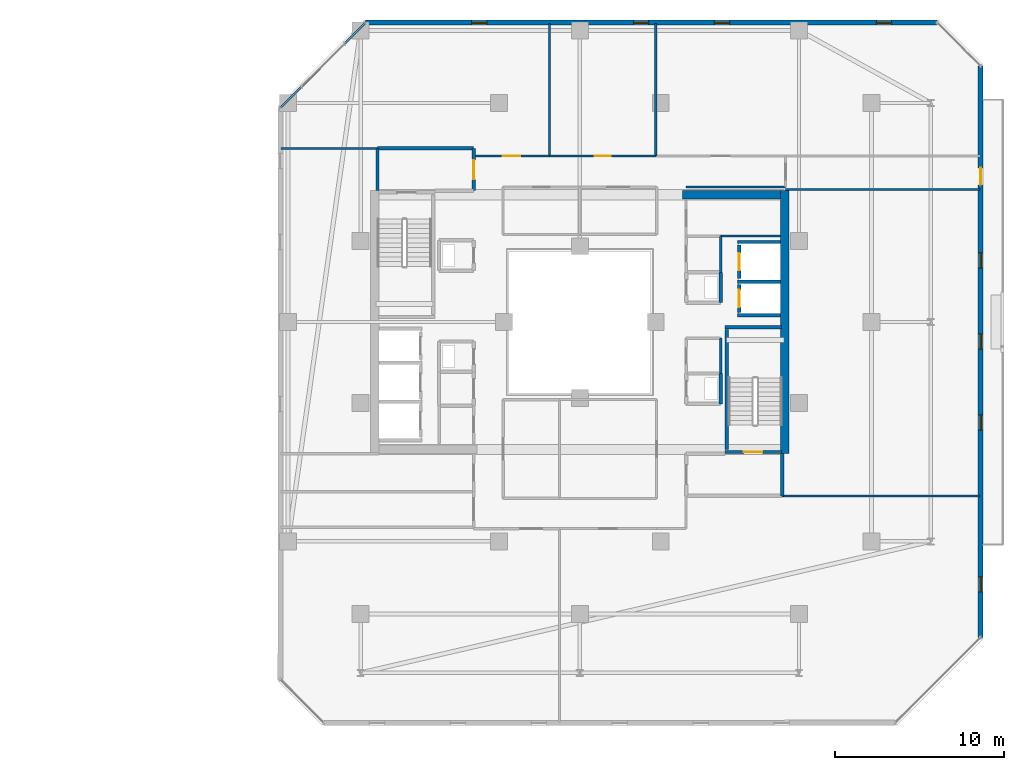
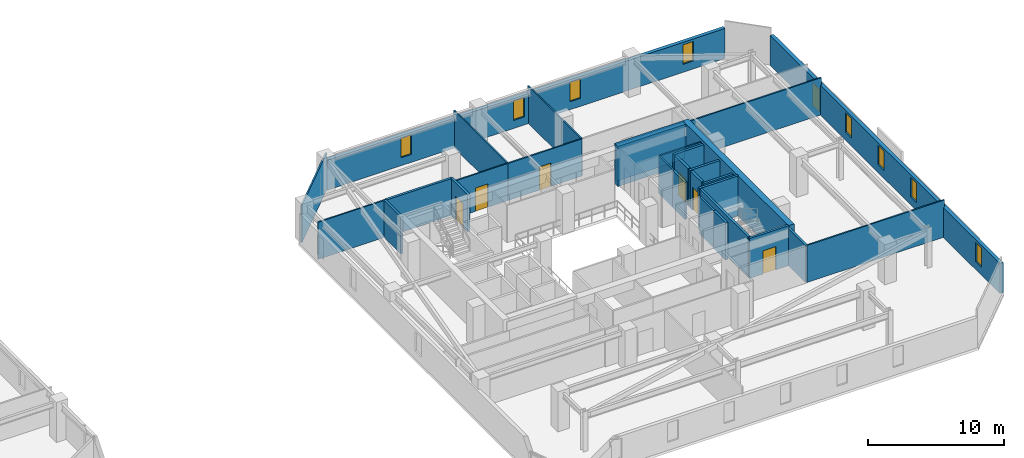
# One storey, part 24 of 32: 30 walls, 8 windows, 7 doors, 15 openings.
"""IFC4 building model written with IfcOpenShell, lengths in metres."""

import ifcopenshell
import ifcopenshell.guid

model = None  # the IFC model being written
_history = None  # IfcOwnerHistory: only IFC2X3 demands one
_inside = {}  # id of a spatial element -> (the spatial element, [elements in it])
_under = {}  # id of a project, library or spatial element -> (it, [spatial elements below it])
_declared = {}  # id of a project -> (the project, [libraries it declares])
_typed = {}  # id of a type object -> (the type object, [elements of that type])
_made_of = {}  # id of a material, layer set ... -> (it, [elements and type objects made of it])


def new_model(schema):
    """Start an empty IFC model of exactly this schema.

    Asked for "IFC4X3", IfcOpenShell would pick the latest addendum, in which some entities
    have other attributes; the version numbers below select the first issue.
    IFC2X3 requires an IfcOwnerHistory on every rooted entity: one is made here for all.
    """
    global model, _history
    if schema == "IFC4X3":
        model = ifcopenshell.file(schema_version=(4, 3, 0, 0))
    else:
        model = ifcopenshell.file(schema=schema)
    _inside.clear()
    _under.clear()
    _declared.clear()
    _typed.clear()
    _made_of.clear()
    _history = None
    if model.schema == "IFC2X3":
        org = make("IfcOrganization", Name="unknown")
        user = make(
            "IfcPersonAndOrganization",
            ThePerson=make("IfcPerson", FamilyName="unknown"),
            TheOrganization=org,
        )
        app = make(
            "IfcApplication",
            ApplicationDeveloper=org,
            Version="unknown",
            ApplicationFullName="unknown",
            ApplicationIdentifier="unknown",
        )
        _history = make(
            "IfcOwnerHistory",
            OwningUser=user,
            OwningApplication=app,
            ChangeAction="ADDED",
            CreationDate=0,
        )
    return model


def make(cls, **values):
    """One entity of the class cls with the attributes given. An attribute that is None is left unset."""
    return model.create_entity(
        cls, **{name: value for name, value in values.items() if value is not None}
    )


def rooted(cls, **values):
    """An entity with a GlobalId (a new one), such as an element, a storey or a relation."""
    return make(cls, GlobalId=ifcopenshell.guid.new(), OwnerHistory=_history, **values)


def si_unit(unit_type, name, prefix=None):
    """IfcSIUnit, for example si_unit("LENGTHUNIT", "METRE", prefix="MILLI")."""
    return make("IfcSIUnit", UnitType=unit_type, Prefix=prefix, Name=name)


def assignment(units):
    """IfcUnitAssignment: the units of a project."""
    return None if units is None else make("IfcUnitAssignment", Units=units)


def point(xyz):
    """IfcCartesianPoint."""
    return None if xyz is None else make("IfcCartesianPoint", Coordinates=xyz)


def direction(xyz):
    """IfcDirection."""
    return None if xyz is None else make("IfcDirection", DirectionRatios=xyz)


def frame(location, z_axis=None, x_axis=None):
    """IfcAxis2Placement3D, a coordinate frame: its origin and axes. An axis left out is left unset."""
    return make(
        "IfcAxis2Placement3D",
        Location=point(location),
        Axis=direction(z_axis),
        RefDirection=direction(x_axis),
    )


def frame_2d(location, x_axis=None):
    """IfcAxis2Placement2D, a coordinate frame in the plane: its origin and x axis."""
    return make(
        "IfcAxis2Placement2D", Location=point(location), RefDirection=direction(x_axis)
    )


def origin():
    """The frame at (0, 0, 0) with its axes left unset."""
    return frame((0.0, 0.0, 0.0))


def place(relative_to, where):
    """IfcLocalPlacement: puts the frame where relative to a parent placement (None: the world)."""
    return make(
        "IfcLocalPlacement", PlacementRelTo=relative_to, RelativePlacement=where
    )


def context(
    kind, dimensions, precision=None, world=None, true_north=None, identifier=None
):
    """IfcGeometricRepresentationContext, for example the 3D "Model" context."""
    return make(
        "IfcGeometricRepresentationContext",
        ContextIdentifier=identifier,
        ContextType=kind,
        CoordinateSpaceDimension=dimensions,
        Precision=precision,
        WorldCoordinateSystem=world,
        TrueNorth=true_north,
    )


def subcontext(parent, identifier, kind, view, scale=None):
    """IfcGeometricRepresentationSubContext, for example "Body" below "Model"."""
    return make(
        "IfcGeometricRepresentationSubContext",
        ContextIdentifier=identifier,
        ContextType=kind,
        ParentContext=parent,
        TargetScale=scale,
        TargetView=view,
    )


def project(units=None, contexts=None):
    """IfcProject with its units and contexts."""
    return rooted(
        "IfcProject",
        Name="project",
        RepresentationContexts=contexts,
        UnitsInContext=assignment(units),
    )


def spatial(cls, under=None, at=None, **own):
    """A site, building, storey or space (cls), placed at a placement, below another one or the project."""
    s = rooted(cls, ObjectPlacement=at, **own)
    if under is not None:
        _under.setdefault(under.id(), (under, []))[1].append(s)
    return s


def profile(cls, at=None, kind="AREA", **sizes):
    """A parametric profile (cls). Its sizes go by their IFC names, for example OverallWidth=200.0."""
    return make(cls, ProfileType=kind, Position=at, **sizes)


def rectangle(**sizes):
    """IfcRectangleProfileDef."""
    return profile("IfcRectangleProfileDef", **sizes)


def extrude(swept, where, along, depth):
    """IfcExtrudedAreaSolid: the profile swept, set in the frame where, extruded along a direction by depth."""
    return make(
        "IfcExtrudedAreaSolid",
        SweptArea=swept,
        Position=where,
        ExtrudedDirection=direction(along),
        Depth=depth,
    )


def shape(context_of_items, identifier, shape_type, items):
    """IfcShapeRepresentation: the items that make up one representation, for example the "Body"."""
    return make(
        "IfcShapeRepresentation",
        ContextOfItems=context_of_items,
        RepresentationIdentifier=identifier,
        RepresentationType=shape_type,
        Items=items,
    )


def material(Name=None, Category=None):
    """IfcMaterial."""
    return make("IfcMaterial", Name=Name, Category=Category)


def layer(
    of_material, thickness, ventilated=None, Name=None, Category=None, Priority=None
):
    """IfcMaterialLayer: one layer of a wall or slab, of a material (None: an air gap)."""
    return make(
        "IfcMaterialLayer",
        Material=of_material,
        LayerThickness=thickness,
        IsVentilated=ventilated,
        Name=Name,
        Category=Category,
        Priority=Priority,
    )


def layer_set(layers, Name=None):
    """IfcMaterialLayerSet."""
    return make("IfcMaterialLayerSet", MaterialLayers=layers, LayerSetName=Name)


def made_of(thing, what):
    """Note that an element or type object is made of a material, layer set ...; save() writes the relation."""
    if what is not None:
        _made_of.setdefault(what.id(), (what, []))[1].append(thing)
    return thing


def type_object(cls, material=None, **own):
    """A type object (cls), such as IfcWallType, which elements share."""
    return made_of(rooted(cls, **own), material)


def element(
    cls,
    number,
    at=None,
    inside=None,
    cuts=None,
    type_object=None,
    material=None,
    context=None,
    identifier="Body",
    shape_type=None,
    held_by="IfcProductDefinitionShape",
    body=None,
    shapes=None,
    **own,
):
    """One element of the class cls, such as IfcWall. Its Tag is "e" and its number.

    at: its placement. inside: the storey or other place that contains it. cuts: it is an
    opening in that element (IfcRelVoidsElement). A single representation is given by context,
    identifier, shape_type and body (its items); several are given by shapes. held_by: the class
    of the entity that holds the representations. save() writes the other relations.
    """
    e = rooted(cls, Tag="e%d" % number, ObjectPlacement=at, **own)
    if body is not None:
        shapes = [shape(context, identifier, shape_type, body)]
    if shapes is not None:
        e.Representation = make(held_by, Representations=shapes)
    if inside is not None:
        _inside.setdefault(inside.id(), (inside, []))[1].append(e)
    if cuts is not None:
        rooted(
            "IfcRelVoidsElement", RelatingBuildingElement=cuts, RelatedOpeningElement=e
        )
    if type_object is not None:
        _typed.setdefault(type_object.id(), (type_object, []))[1].append(e)
    return made_of(e, material)


def fill(opening, filler):
    """IfcRelFillsElement: the door or window that sits in an opening."""
    return rooted(
        "IfcRelFillsElement",
        RelatingOpeningElement=opening,
        RelatedBuildingElement=filler,
    )


def aggregate(whole, parts):
    """IfcRelAggregates: a whole, such as a stair, and the parts it consists of."""
    return rooted("IfcRelAggregates", RelatingObject=whole, RelatedObjects=parts)


def save(model, path):
    """Write the relations noted so far, then the file.

    IfcRelAggregates (storeys below a building ...), IfcRelContainedInSpatialStructure (elements
    in a storey), IfcRelDefinesByType, IfcRelAssociatesMaterial and IfcRelDeclares: one each for
    every whole, place, type object, material and project.
    """
    for whole, parts in _under.values():
        aggregate(whole, parts)
    for where, things in _inside.values():
        rooted(
            "IfcRelContainedInSpatialStructure",
            RelatedElements=things,
            RelatingStructure=where,
        )
    for kind, things in _typed.values():
        rooted("IfcRelDefinesByType", RelatedObjects=things, RelatingType=kind)
    for what, things in _made_of.values():
        rooted("IfcRelAssociatesMaterial", RelatedObjects=things, RelatingMaterial=what)
    for by, libraries in _declared.values():
        rooted("IfcRelDeclares", RelatingContext=by, RelatedDefinitions=libraries)
    model.write(path)


model = new_model("IFC4")

# Units and contexts
model_context = context("Model", 3, precision=1e-05, world=origin(), true_north=direction((0.0, 1.0)))
body_context = subcontext(model_context, "Body", "Model", "MODEL_VIEW")
ifc_project = project(units=[si_unit("LENGTHUNIT", "METRE"), si_unit("AREAUNIT", "SQUARE_METRE"), si_unit("VOLUMEUNIT", "CUBIC_METRE"), si_unit("PLANEANGLEUNIT", "RADIAN"), si_unit("MASSUNIT", "GRAM", prefix="KILO")], contexts=[model_context])

# Site, building, storey
site_placement = place(None, origin())
site = spatial("IfcSite", under=ifc_project, at=site_placement, CompositionType="ELEMENT")
building_placement = place(site_placement, origin())
building = spatial("IfcBuilding", under=site, at=building_placement, Name="Thornwick Lancets Civic Towers", CompositionType="ELEMENT")
storey_placement = place(building_placement, frame((0.0, 0.0, 243.89990234375)))
storey = spatial("IfcBuildingStorey", under=building, at=storey_placement, Name="L65", CompositionType="ELEMENT", Elevation=243.89990234375)

# Wall, opening, door
ifc_material_1 = material(Name="Concrete blockwork C40/50", Category="masonry")
ifc_layer_1 = layer(ifc_material_1, 0.199951171875, Name="Concrete blockwork C40/50")
ifc_layer_set_1 = layer_set([ifc_layer_1], Name="Concrete blockwork C40/50")
wall_type_1 = type_object("IfcWallType", Name="WALL_COMP_200", PredefinedType="STANDARD", material=ifc_layer_set_1)
wall_1_placement = place(storey_placement, frame((97.949951171875, 29.219970703125, 0.0), z_axis=(0.0, 0.0, 1.0), x_axis=(0.0, -1.0, 0.0)))
wall_1 = element("IfcWall", 1, at=wall_1_placement, inside=storey, type_object=wall_type_1, Name="L65 Hoistway Front Wall FL-B1", PredefinedType="STANDARD", context=body_context, shape_type="SweptSolid", body=[
    extrude(rectangle(XDim=1.639892578125, YDim=0.199951171875, at=frame_2d((0.81982421875, 0.0))), origin(), (0.0, 0.0, 1.0), 3.340087890625),
])
opening_1_placement = place(wall_1_placement, frame((0.31005859375, 0.0, 0.0)))
opening_1 = element("IfcOpeningElement", 2, at=opening_1_placement, cuts=wall_1, Name="Opening LD-FL-B1", PredefinedType="OPENING", context=body_context, shape_type="SweptSolid", body=[
    extrude(rectangle(XDim=1.02001953125, YDim=2.06005859375, at=frame_2d((0.510009765625, 1.030029296875))), frame((0.0, 0.10986328125, 0.0), z_axis=(0.0, -1.0, 0.0), x_axis=(1.0, 0.0, 0.0)), (0.0, 0.0, 1.0), 0.219970703125),
])
ifc_material_2 = material(Name="Brushed bronze stainless steel", Category="steel")
door_type_1 = type_object("IfcDoorType", Name="DOOR_LIFT_SLIDE", OperationType="SLIDING_TO_LEFT", PredefinedType="DOOR", material=ifc_material_2)
door_1_placement = place(opening_1_placement, origin())
door_1 = element("IfcDoor", 3, at=door_1_placement, inside=storey, type_object=door_type_1, Name="L65 Sliding Lift Landing Door LD-FL-B1", OperationType="SLIDING_TO_LEFT", OverallHeight=2.06005859375, OverallWidth=1.02001953125, PredefinedType="DOOR", context=body_context, shape_type="SweptSolid", body=[
    extrude(rectangle(XDim=1.02001953125, YDim=2.06005859375, at=frame_2d((0.510009765625, 1.030029296875))), frame((0.0, 0.02490234375, 0.0), z_axis=(0.0, -1.0, 0.0), x_axis=(1.0, 0.0, 0.0)), (0.0, 0.0, 1.0), 0.050048828125),
])
fill(opening_1, door_1)

wall_2_placement = place(storey_placement, frame((97.949951171875, 31.570068359375, 0.0), z_axis=(0.0, 0.0, 1.0), x_axis=(0.0, -1.0, 0.0)))
wall_2 = element("IfcWall", 4, at=wall_2_placement, inside=storey, type_object=wall_type_1, Name="L65 Hoistway Front Wall PL-BH1", PredefinedType="STANDARD", context=body_context, shape_type="SweptSolid", body=[
    extrude(rectangle(XDim=1.989990234375, YDim=0.199951171875, at=frame_2d((0.9951171875, 0.0))), origin(), (0.0, 0.0, 1.0), 3.340087890625),
])
opening_2_placement = place(wall_2_placement, frame((0.485107421875, 0.0, 0.0)))
opening_2 = element("IfcOpeningElement", 5, at=opening_2_placement, cuts=wall_2, Name="Opening LD-PL-BH1", PredefinedType="OPENING", context=body_context, shape_type="SweptSolid", body=[
    extrude(rectangle(XDim=1.02001953125, YDim=2.06005859375, at=frame_2d((0.510009765625, 1.030029296875))), frame((0.0, 0.10986328125, 0.0), z_axis=(0.0, -1.0, 0.0), x_axis=(1.0, 0.0, 0.0)), (0.0, 0.0, 1.0), 0.219970703125),
])
door_2_placement = place(opening_2_placement, origin())
door_2 = element("IfcDoor", 6, at=door_2_placement, inside=storey, type_object=door_type_1, Name="L65 Sliding Lift Landing Door LD-PL-BH1", OperationType="SLIDING_TO_LEFT", OverallHeight=2.06005859375, OverallWidth=1.02001953125, PredefinedType="DOOR", context=body_context, shape_type="SweptSolid", body=[
    extrude(rectangle(XDim=1.02001953125, YDim=2.06005859375, at=frame_2d((0.510009765625, 1.030029296875))), frame((0.0, 0.02490234375, 0.0), z_axis=(0.0, -1.0, 0.0), x_axis=(1.0, 0.0, 0.0)), (0.0, 0.0, 1.0), 0.050048828125),
])
fill(opening_2, door_2)

# Walls
for number, where, z_axis, x_axis, name in (
    (7, (97.85205078125, 29.39990234375, 0.0), (0.0, 0.0, 1.0), (1.0, 0.0, 0.0), "L65 Hoistway Shaft Wall FL-B1 N"),
    (8, (97.85205078125, 27.39990234375, 0.0), (0.0, 0.0, 1.0), (1.0, 0.0, 0.0), "L65 Hoistway Shaft Wall FL-B1 S"),
    (9, (97.85205078125, 31.75, 0.0), (0.0, 0.0, 1.0), (1.0, 0.0, 0.0), "L65 Hoistway Shaft Wall PL-BH1 N"),
):
    element("IfcWall", number, at=place(storey_placement, frame(where, z_axis=z_axis, x_axis=x_axis)), inside=storey, type_object=wall_type_1, Name=name, PredefinedType="STANDARD", context=body_context, shape_type="SweptSolid", body=[
        extrude(rectangle(XDim=2.535888671875, YDim=0.199951171875, at=frame_2d((1.26806640625, 0.0))), origin(), (0.0, 0.0, 1.0), 3.340087890625),
    ])
wall_3_placement = place(storey_placement, frame((100.5, 16.699951171875, 0.0), z_axis=(0.0, 0.0, 1.0), x_axis=(0.0, 1.0, 0.0)))
element("IfcWall", 10, at=wall_3_placement, inside=storey, type_object=wall_type_1, Name="L65 Partition L65-B-FFLOB1 E2", PredefinedType="STANDARD", context=body_context, shape_type="SweptSolid", body=[
    extrude(rectangle(XDim=2.5, YDim=0.199951171875, at=frame_2d((1.25, 0.0))), origin(), (0.0, 0.0, 1.0), 3.340087890625),
])

# Wall, opening, door
wall_4_placement = place(storey_placement, frame((82.199951171875, 34.800048828125, 0.0), z_axis=(0.0, 0.0, 1.0), x_axis=(0.0, 1.0, 0.0)))
wall_4 = element("IfcWall", 11, at=wall_4_placement, inside=storey, type_object=wall_type_1, Name="L65 Partition L65-B-FFLOB2 E2", PredefinedType="STANDARD", context=body_context, shape_type="SweptSolid", body=[
    extrude(rectangle(XDim=2.5, YDim=0.199951171875, at=frame_2d((1.25, 0.0))), origin(), (0.0, 0.0, 1.0), 3.340087890625),
])
opening_3_placement = place(wall_4_placement, frame((0.659912109375, 0.0, 0.0)))
opening_3 = element("IfcOpeningElement", 12, at=opening_3_placement, cuts=wall_4, Name="Opening D-L65-2935", PredefinedType="OPENING", context=body_context, shape_type="SweptSolid", body=[
    extrude(rectangle(XDim=1.14990234375, YDim=2.10009765625, at=frame_2d((0.574951171875, 1.050048828125))), frame((0.0, 0.10986328125, 0.0), z_axis=(0.0, -1.0, 0.0), x_axis=(1.0, 0.0, 0.0)), (0.0, 0.0, 1.0), 0.219970703125),
])
ifc_material_3 = material(Name="Glazed fire-resisting steel", Category="steel")
door_type_2 = type_object("IfcDoorType", Name="DOOR_LOBBY_FD60", OperationType="NOTDEFINED", PredefinedType="DOOR", material=ifc_material_3)
door_3_placement = place(opening_3_placement, origin())
door_3 = element("IfcDoor", 13, at=door_3_placement, inside=storey, type_object=door_type_2, Name="L65 West Firefighting Lobby 2 Door", OperationType="SINGLE_SWING_RIGHT", OverallHeight=2.10009765625, OverallWidth=1.14990234375, PredefinedType="DOOR", context=body_context, shape_type="SweptSolid", body=[
    extrude(rectangle(XDim=1.14990234375, YDim=2.10009765625, at=frame_2d((0.574951171875, 1.050048828125))), frame((0.0, 0.02490234375, 0.0), z_axis=(0.0, -1.0, 0.0), x_axis=(1.0, 0.0, 0.0)), (0.0, 0.0, 1.0), 0.050048828125),
])
fill(opening_3, door_3)

# Walls
wall_5_placement = place(storey_placement, frame((82.199951171875, 37.300048828125, 0.0), z_axis=(0.0, 0.0, 1.0), x_axis=(-1.0, 0.0, 0.0)))
element("IfcWall", 14, at=wall_5_placement, inside=storey, type_object=wall_type_1, Name="L65 Partition L65-B-FFLOB2 E3", PredefinedType="STANDARD", context=body_context, shape_type="SweptSolid", body=[
    extrude(rectangle(XDim=5.699951171875, YDim=0.199951171875, at=frame_2d((2.85009765625, 0.0))), origin(), (0.0, 0.0, 1.0), 3.340087890625),
])
wall_6_placement = place(storey_placement, frame((76.5, 37.300048828125, 0.0), z_axis=(0.0, 0.0, 1.0), x_axis=(0.0, -1.0, 0.0)))
element("IfcWall", 15, at=wall_6_placement, inside=storey, type_object=wall_type_1, Name="L65 Partition L65-B-FFLOB2 E4", PredefinedType="STANDARD", context=body_context, shape_type="SweptSolid", body=[
    extrude(rectangle(XDim=2.5, YDim=0.199951171875, at=frame_2d((1.25, 0.0))), origin(), (0.0, 0.0, 1.0), 3.340087890625),
])
for number, where, z_axis, x_axis, name in (
    (16, (96.85009765625, 28.14990234375, 0.0), (0.0, 0.0, 1.0), (0.0, 1.0, 0.0), "L65 Partition L65-B-DUCT1 E2"),
    (17, (96.85009765625, 22.14990234375, 0.0), (0.0, 0.0, 1.0), (0.0, 1.0, 0.0), "L65 Partition L65-B-RISER1 E2"),
):
    element("IfcWall", number, at=place(storey_placement, frame(where, z_axis=z_axis, x_axis=x_axis)), inside=storey, type_object=wall_type_1, Name=name, PredefinedType="STANDARD", context=body_context, shape_type="SweptSolid", body=[
        extrude(rectangle(XDim=1.800048828125, YDim=0.199951171875, at=frame_2d((0.89990234375, 0.0))), origin(), (0.0, 0.0, 1.0), 3.340087890625),
    ])
ifc_material_4 = material(Name="Concrete C50/60", Category="concrete")
ifc_layer_2 = layer(ifc_material_4, 0.5, Name="Concrete C50/60")
ifc_layer_set_2 = layer_set([ifc_layer_2], Name="Concrete C50/60")
wall_type_2 = type_object("IfcWallType", Name="WALL_CORE_500", PredefinedType="SHEAR", material=ifc_layer_set_2)
wall_7_placement = place(storey_placement, frame((100.64990234375, 19.199951171875, 0.0), z_axis=(0.0, 0.0, 1.0), x_axis=(0.0, 1.0, 0.0)))
element("IfcWall", 18, at=wall_7_placement, inside=storey, type_object=wall_type_2, Name="L65 Split Core B1 Shear Wall E", PredefinedType="SHEAR", context=body_context, shape_type="SweptSolid", body=[
    extrude(rectangle(XDim=15.60009765625, YDim=0.5, at=frame_2d((7.800048828125, 0.0))), origin(), (0.0, 0.0, 1.0), 3.60009765625),
])
wall_8_placement = place(storey_placement, frame((94.60009765625, 34.550048828125, 0.0), z_axis=(0.0, 0.0, 1.0), x_axis=(1.0, 0.0, 0.0)))
element("IfcWall", 19, at=wall_8_placement, inside=storey, type_object=wall_type_2, Name="L65 Split Core B1 Shear Wall N", PredefinedType="SHEAR", context=body_context, shape_type="SweptSolid", body=[
    extrude(rectangle(XDim=5.7998046875, YDim=0.5, at=frame_2d((2.89990234375, 0.0))), origin(), (0.0, 0.0, 1.0), 3.60009765625),
])

# Wall, openings, door, windows
ifc_material_5 = material(Name="Insulated russet terracotta rainscreen on concrete C40/50", Category="masonry")
ifc_layer_3 = layer(ifc_material_5, 0.300048828125, Name="Insulated russet terracotta rainscreen on concrete C40/50")
ifc_layer_set_3 = layer_set([ifc_layer_3], Name="Insulated russet terracotta rainscreen on concrete C40/50")
wall_type_3 = type_object("IfcWallType", Name="WALL_EXT_RUSSET_300", PredefinedType="STANDARD", material=ifc_layer_set_3)
wall_9_placement = place(storey_placement, frame((112.25634765625, 8.300537109375, 0.0), z_axis=(0.0, 0.0, 1.0), x_axis=(0.000244999128, 0.999999969988, 0.0)))
wall_9 = element("IfcWall", 20, at=wall_9_placement, inside=storey, type_object=wall_type_3, Name="L65 Tower B Terracotta Facade Wall E2", PredefinedType="STANDARD", context=body_context, shape_type="SweptSolid", body=[
    extrude(rectangle(XDim=33.880859375, YDim=0.300048828125, at=frame_2d((16.9404296875, 0.0))), origin(), (0.0, 0.0, 1.0), 2.7001953125),
])
opening_4_placement = place(wall_9_placement, frame((26.84033203125, 0.0, 0.0)))
opening_4 = element("IfcOpeningElement", 21, at=opening_4_placement, cuts=wall_9, Name="Opening D-BL-L65-BE", PredefinedType="OPENING", context=body_context, shape_type="SweptSolid", body=[
    extrude(rectangle(XDim=1.0, YDim=2.080078125, at=frame_2d((0.5, 1.0400390625))), frame((0.0, 0.16015625, 0.0), z_axis=(0.0, -1.0, 0.0), x_axis=(1.0, 0.0, 0.0)), (0.0, 0.0, 1.0), 0.320068359375),
])
opening_5_placement = place(wall_9_placement, frame((2.699951171875, 0.0, 0.719970703125)))
opening_5 = element("IfcOpeningElement", 22, at=opening_5_placement, cuts=wall_9, Name="Opening WL-01", PredefinedType="OPENING", context=body_context, shape_type="SweptSolid", body=[
    extrude(rectangle(XDim=0.89990234375, YDim=1.75, at=frame_2d((0.449951171875, 0.875))), frame((0.0, 0.16015625, 0.0), z_axis=(0.0, -1.0, 0.0), x_axis=(1.0, 0.0, 0.0)), (0.0, 0.0, 1.0), 0.320068359375),
])
opening_6_placement = place(wall_9_placement, frame((12.300048828125, 0.0, 0.719970703125)))
opening_6 = element("IfcOpeningElement", 23, at=opening_6_placement, cuts=wall_9, Name="Opening WL-01", PredefinedType="OPENING", context=body_context, shape_type="SweptSolid", body=[
    extrude(rectangle(XDim=0.89990234375, YDim=1.75, at=frame_2d((0.449951171875, 0.875))), frame((0.0, 0.16015625, 0.0), z_axis=(0.0, -1.0, 0.0), x_axis=(1.0, 0.0, 0.0)), (0.0, 0.0, 1.0), 0.320068359375),
])
opening_7_placement = place(wall_9_placement, frame((17.10009765625, 0.0, 0.719970703125)))
opening_7 = element("IfcOpeningElement", 24, at=opening_7_placement, cuts=wall_9, Name="Opening WL-01", PredefinedType="OPENING", context=body_context, shape_type="SweptSolid", body=[
    extrude(rectangle(XDim=0.89990234375, YDim=1.75, at=frame_2d((0.449951171875, 0.875))), frame((0.0, 0.16015625, 0.0), z_axis=(0.0, -1.0, 0.0), x_axis=(1.0, 0.0, 0.0)), (0.0, 0.0, 1.0), 0.320068359375),
])
opening_8_placement = place(wall_9_placement, frame((21.89990234375, 0.0, 0.719970703125)))
opening_8 = element("IfcOpeningElement", 25, at=opening_8_placement, cuts=wall_9, Name="Opening WL-01", PredefinedType="OPENING", context=body_context, shape_type="SweptSolid", body=[
    extrude(rectangle(XDim=0.89990234375, YDim=1.75, at=frame_2d((0.449951171875, 0.875))), frame((0.0, 0.16015625, 0.0), z_axis=(0.0, -1.0, 0.0), x_axis=(1.0, 0.0, 0.0)), (0.0, 0.0, 1.0), 0.320068359375),
])
ifc_material_6 = material(Name="Thermally broken glazed loggia doorset")
door_type_3 = type_object("IfcDoorType", Name="DOOR_BALC_1000", OperationType="NOTDEFINED", PredefinedType="DOOR", material=ifc_material_6)
door_4_placement = place(opening_4_placement, origin())
door_4 = element("IfcDoor", 26, at=door_4_placement, inside=storey, type_object=door_type_3, Name="L65 Tower B Loggia Balcony Door E", OperationType="SINGLE_SWING_RIGHT", OverallHeight=2.080078125, OverallWidth=1.0, PredefinedType="DOOR", context=body_context, shape_type="SweptSolid", body=[
    extrude(rectangle(XDim=1.0, YDim=2.080078125, at=frame_2d((0.5, 1.0400390625))), frame((0.0, 0.02490234375, 0.0), z_axis=(0.0, -1.0, 0.0), x_axis=(1.0, 0.0, 0.0)), (0.0, 0.0, 1.0), 0.050048828125),
])
fill(opening_4, door_4)
ifc_material_7 = material(Name="Clear low-e double glazing in bronze frame", Category="glass")
window_type = type_object("IfcWindowType", Name="WIN_LANCET_900", PartitioningType="SINGLE_PANEL", PredefinedType="WINDOW", material=ifc_material_7)
window_1_placement = place(opening_5_placement, origin())
window_1 = element("IfcWindow", 27, at=window_1_placement, inside=storey, type_object=window_type, Name="L65 Tower B Staggered Lancet Window E2-1", OverallHeight=1.75, OverallWidth=0.89990234375, PartitioningType="SINGLE_PANEL", PredefinedType="WINDOW", context=body_context, shape_type="SweptSolid", body=[
    extrude(rectangle(XDim=0.89990234375, YDim=1.75, at=frame_2d((0.449951171875, 0.875))), frame((0.0, 0.030029296875, 0.0), z_axis=(0.0, -1.0, 0.0), x_axis=(1.0, 0.0, 0.0)), (0.0, 0.0, 1.0), 0.06005859375),
])
fill(opening_5, window_1)
window_2_placement = place(opening_6_placement, origin())
window_2 = element("IfcWindow", 28, at=window_2_placement, inside=storey, type_object=window_type, Name="L65 Tower B Staggered Lancet Window E2-2", OverallHeight=1.75, OverallWidth=0.89990234375, PartitioningType="SINGLE_PANEL", PredefinedType="WINDOW", context=body_context, shape_type="SweptSolid", body=[
    extrude(rectangle(XDim=0.89990234375, YDim=1.75, at=frame_2d((0.449951171875, 0.875))), frame((0.0, 0.030029296875, 0.0), z_axis=(0.0, -1.0, 0.0), x_axis=(1.0, 0.0, 0.0)), (0.0, 0.0, 1.0), 0.06005859375),
])
fill(opening_6, window_2)
window_3_placement = place(opening_7_placement, origin())
window_3 = element("IfcWindow", 29, at=window_3_placement, inside=storey, type_object=window_type, Name="L65 Tower B Staggered Lancet Window E2-3", OverallHeight=1.75, OverallWidth=0.89990234375, PartitioningType="SINGLE_PANEL", PredefinedType="WINDOW", context=body_context, shape_type="SweptSolid", body=[
    extrude(rectangle(XDim=0.89990234375, YDim=1.75, at=frame_2d((0.449951171875, 0.875))), frame((0.0, 0.030029296875, 0.0), z_axis=(0.0, -1.0, 0.0), x_axis=(1.0, 0.0, 0.0)), (0.0, 0.0, 1.0), 0.06005859375),
])
fill(opening_7, window_3)
window_4_placement = place(opening_8_placement, origin())
window_4 = element("IfcWindow", 30, at=window_4_placement, inside=storey, type_object=window_type, Name="L65 Tower B Staggered Lancet Window E2-4", OverallHeight=1.75, OverallWidth=0.89990234375, PartitioningType="SINGLE_PANEL", PredefinedType="WINDOW", context=body_context, shape_type="SweptSolid", body=[
    extrude(rectangle(XDim=0.89990234375, YDim=1.75, at=frame_2d((0.449951171875, 0.875))), frame((0.0, 0.030029296875, 0.0), z_axis=(0.0, -1.0, 0.0), x_axis=(1.0, 0.0, 0.0)), (0.0, 0.0, 1.0), 0.06005859375),
])
fill(opening_8, window_4)

# Wall, openings, windows
wall_10_placement = place(storey_placement, frame((109.681396484375, 44.7646484375, 0.0), z_axis=(0.0, 0.0, 1.0), x_axis=(-0.999999969988, -0.000244999128, 0.0)))
wall_10 = element("IfcWall", 31, at=wall_10_placement, inside=storey, type_object=wall_type_3, Name="L65 Tower B Terracotta Facade Wall E4", PredefinedType="STANDARD", context=body_context, shape_type="SweptSolid", body=[
    extrude(rectangle(XDim=33.880859375, YDim=0.300048828125, at=frame_2d((16.9404296875, 0.0))), origin(), (0.0, 0.0, 1.0), 2.7001953125),
])
opening_9_placement = place(wall_10_placement, frame((2.699951171875, 0.0, 0.719970703125)))
opening_9 = element("IfcOpeningElement", 32, at=opening_9_placement, cuts=wall_10, Name="Opening WL-01", PredefinedType="OPENING", context=body_context, shape_type="SweptSolid", body=[
    extrude(rectangle(XDim=0.89990234375, YDim=1.75, at=frame_2d((0.449951171875, 0.875))), frame((0.0, 0.16015625, 0.0), z_axis=(0.0, -1.0, 0.0), x_axis=(1.0, 0.0, 0.0)), (0.0, 0.0, 1.0), 0.320068359375),
])
opening_10_placement = place(wall_10_placement, frame((12.300048828125, 0.0, 0.719970703125)))
opening_10 = element("IfcOpeningElement", 33, at=opening_10_placement, cuts=wall_10, Name="Opening WL-01", PredefinedType="OPENING", context=body_context, shape_type="SweptSolid", body=[
    extrude(rectangle(XDim=0.89990234375, YDim=1.75, at=frame_2d((0.449951171875, 0.875))), frame((0.0, 0.16015625, 0.0), z_axis=(0.0, -1.0, 0.0), x_axis=(1.0, 0.0, 0.0)), (0.0, 0.0, 1.0), 0.320068359375),
])
opening_11_placement = place(wall_10_placement, frame((17.10009765625, 0.0, 0.719970703125)))
opening_11 = element("IfcOpeningElement", 34, at=opening_11_placement, cuts=wall_10, Name="Opening WL-01", PredefinedType="OPENING", context=body_context, shape_type="SweptSolid", body=[
    extrude(rectangle(XDim=0.89990234375, YDim=1.75, at=frame_2d((0.449951171875, 0.875))), frame((0.0, 0.16015625, 0.0), z_axis=(0.0, -1.0, 0.0), x_axis=(1.0, 0.0, 0.0)), (0.0, 0.0, 1.0), 0.320068359375),
])
opening_12_placement = place(wall_10_placement, frame((26.699951171875, 0.0, 0.719970703125)))
opening_12 = element("IfcOpeningElement", 35, at=opening_12_placement, cuts=wall_10, Name="Opening WL-01", PredefinedType="OPENING", context=body_context, shape_type="SweptSolid", body=[
    extrude(rectangle(XDim=0.89990234375, YDim=1.75, at=frame_2d((0.449951171875, 0.875))), frame((0.0, 0.16015625, 0.0), z_axis=(0.0, -1.0, 0.0), x_axis=(1.0, 0.0, 0.0)), (0.0, 0.0, 1.0), 0.320068359375),
])
window_5_placement = place(opening_9_placement, origin())
window_5 = element("IfcWindow", 36, at=window_5_placement, inside=storey, type_object=window_type, Name="L65 Tower B Staggered Lancet Window E4-1", OverallHeight=1.75, OverallWidth=0.89990234375, PartitioningType="SINGLE_PANEL", PredefinedType="WINDOW", context=body_context, shape_type="SweptSolid", body=[
    extrude(rectangle(XDim=0.89990234375, YDim=1.75, at=frame_2d((0.449951171875, 0.875))), frame((0.0, 0.030029296875, 0.0), z_axis=(0.0, -1.0, 0.0), x_axis=(1.0, 0.0, 0.0)), (0.0, 0.0, 1.0), 0.06005859375),
])
fill(opening_9, window_5)
window_6_placement = place(opening_10_placement, origin())
window_6 = element("IfcWindow", 37, at=window_6_placement, inside=storey, type_object=window_type, Name="L65 Tower B Staggered Lancet Window E4-2", OverallHeight=1.75, OverallWidth=0.89990234375, PartitioningType="SINGLE_PANEL", PredefinedType="WINDOW", context=body_context, shape_type="SweptSolid", body=[
    extrude(rectangle(XDim=0.89990234375, YDim=1.75, at=frame_2d((0.449951171875, 0.875))), frame((0.0, 0.030029296875, 0.0), z_axis=(0.0, -1.0, 0.0), x_axis=(1.0, 0.0, 0.0)), (0.0, 0.0, 1.0), 0.06005859375),
])
fill(opening_10, window_6)
window_7_placement = place(opening_11_placement, origin())
window_7 = element("IfcWindow", 38, at=window_7_placement, inside=storey, type_object=window_type, Name="L65 Tower B Staggered Lancet Window E4-3", OverallHeight=1.75, OverallWidth=0.89990234375, PartitioningType="SINGLE_PANEL", PredefinedType="WINDOW", context=body_context, shape_type="SweptSolid", body=[
    extrude(rectangle(XDim=0.89990234375, YDim=1.75, at=frame_2d((0.449951171875, 0.875))), frame((0.0, 0.030029296875, 0.0), z_axis=(0.0, -1.0, 0.0), x_axis=(1.0, 0.0, 0.0)), (0.0, 0.0, 1.0), 0.06005859375),
])
fill(opening_11, window_7)
window_8_placement = place(opening_12_placement, origin())
window_8 = element("IfcWindow", 39, at=window_8_placement, inside=storey, type_object=window_type, Name="L65 Tower B Staggered Lancet Window E4-4", OverallHeight=1.75, OverallWidth=0.89990234375, PartitioningType="SINGLE_PANEL", PredefinedType="WINDOW", context=body_context, shape_type="SweptSolid", body=[
    extrude(rectangle(XDim=0.89990234375, YDim=1.75, at=frame_2d((0.449951171875, 0.875))), frame((0.0, 0.030029296875, 0.0), z_axis=(0.0, -1.0, 0.0), x_axis=(1.0, 0.0, 0.0)), (0.0, 0.0, 1.0), 0.06005859375),
])
fill(opening_12, window_8)

# Walls
ifc_material_8 = material(Name="Acoustic gypsum board partition")
ifc_layer_4 = layer(ifc_material_8, 0.1201171875, Name="Acoustic gypsum board partition")
ifc_layer_set_4 = layer_set([ifc_layer_4], Name="Acoustic gypsum board partition")
wall_type_4 = type_object("IfcWallType", Name="WALL_PART_120", PredefinedType="PARTITIONING", material=ifc_layer_set_4)
wall_11_placement = place(storey_placement, frame((100.39990234375, 32.10009765625, 0.0), z_axis=(0.0, 0.0, 1.0), x_axis=(-1.0, 0.0, 0.0)))
element("IfcWall", 40, at=wall_11_placement, inside=storey, type_object=wall_type_4, Name="L65 Partition L65-B-ITR E4", PredefinedType="PARTITIONING", context=body_context, shape_type="SweptSolid", body=[
    extrude(rectangle(XDim=3.5498046875, YDim=0.1201171875, at=frame_2d((1.77490234375, 0.0))), origin(), (0.0, 0.0, 1.0), 3.340087890625),
])
wall_12_placement = place(storey_placement, frame((94.800048828125, 35.0, 0.0), z_axis=(0.0, 0.0, 1.0), x_axis=(1.0, 0.0, 0.0)))
element("IfcWall", 41, at=wall_12_placement, inside=storey, type_object=wall_type_4, Name="L65 Partition L65-B-RECLAIM-L E2", PredefinedType="PARTITIONING", context=body_context, shape_type="SweptSolid", body=[
    extrude(rectangle(XDim=5.89990234375, YDim=0.1201171875, at=frame_2d((2.949951171875, 0.0))), origin(), (0.0, 0.0, 1.0), 3.340087890625),
])
wall_13_placement = place(storey_placement, frame((112.219970703125, 34.85009765625, 0.0), z_axis=(0.0, 0.0, 1.0), x_axis=(-1.0, 0.0, 0.0)))
element("IfcWall", 42, at=wall_13_placement, inside=storey, type_object=wall_type_4, Name="L65 Partition L65-B-RECLAIM-L E6", PredefinedType="PARTITIONING", context=body_context, shape_type="SweptSolid", body=[
    extrude(rectangle(XDim=11.52001953125, YDim=0.1201171875, at=frame_2d((5.760009765625, 0.0))), origin(), (0.0, 0.0, 1.0), 3.340087890625),
])
wall_14_placement = place(storey_placement, frame((100.5, 16.699951171875, 0.0), z_axis=(0.0, 0.0, 1.0), x_axis=(1.0, 0.0, 0.0)))
element("IfcWall", 43, at=wall_14_placement, inside=storey, type_object=wall_type_4, Name="L65 Partition L65-B-W1 E7", PredefinedType="PARTITIONING", context=body_context, shape_type="SweptSolid", body=[
    extrude(rectangle(XDim=11.719970703125, YDim=0.1201171875, at=frame_2d((5.85986328125, 0.0))), origin(), (0.0, 0.0, 1.0), 3.340087890625),
])
for number, where, z_axis, x_axis, name in (
    (44, (93.0, 36.85009765625, 0.0), (0.0, 0.0, 1.0), (0.0, 1.0, 0.0), "L65 Partition L65-B-E1 E2"),
    (45, (86.699951171875, 36.85009765625, 0.0), (0.0, 0.0, 1.0), (0.0, 1.0, 0.0), "L65 Partition L65-B-E2 E1"),
):
    element("IfcWall", number, at=place(storey_placement, frame(where, z_axis=z_axis, x_axis=x_axis)), inside=storey, type_object=wall_type_4, Name=name, PredefinedType="PARTITIONING", context=body_context, shape_type="SweptSolid", body=[
        extrude(rectangle(XDim=7.869873046875, YDim=0.1201171875, at=frame_2d((3.93505859375, 0.0))), origin(), (0.0, 0.0, 1.0), 3.340087890625),
    ])

# Wall, opening, door
wall_15_placement = place(storey_placement, frame((93.0, 36.85009765625, 0.0), z_axis=(0.0, 0.0, 1.0), x_axis=(-1.0, 0.0, 0.0)))
wall_15 = element("IfcWall", 46, at=wall_15_placement, inside=storey, type_object=wall_type_4, Name="L65 Partition L65-B-E2 E4", PredefinedType="PARTITIONING", context=body_context, shape_type="SweptSolid", body=[
    extrude(rectangle(XDim=6.300048828125, YDim=0.1201171875, at=frame_2d((3.14990234375, 0.0))), origin(), (0.0, 0.0, 1.0), 3.340087890625),
])
opening_13_placement = place(wall_15_placement, frame((2.675048828125, 0.0, 0.0)))
opening_13 = element("IfcOpeningElement", 47, at=opening_13_placement, cuts=wall_15, Name="Opening D-L65-2965", PredefinedType="OPENING", context=body_context, shape_type="SweptSolid", body=[
    extrude(rectangle(XDim=0.949951171875, YDim=2.10009765625, at=frame_2d((0.47509765625, 1.050048828125))), frame((0.0, 0.070068359375, 0.0), z_axis=(0.0, -1.0, 0.0), x_axis=(1.0, 0.0, 0.0)), (0.0, 0.0, 1.0), 0.14013671875),
])
ifc_material_9 = material(Name="European oak acoustic doorset")
door_type_4 = type_object("IfcDoorType", Name="DOOR_OFFICE_950", OperationType="NOTDEFINED", PredefinedType="DOOR", material=ifc_material_9)
door_5_placement = place(opening_13_placement, origin())
door_5 = element("IfcDoor", 48, at=door_5_placement, inside=storey, type_object=door_type_4, Name="L65 Tower B Visitors Reception and Waiting Door", OperationType="SINGLE_SWING_RIGHT", OverallHeight=2.10009765625, OverallWidth=0.949951171875, PredefinedType="DOOR", context=body_context, shape_type="SweptSolid", body=[
    extrude(rectangle(XDim=0.949951171875, YDim=2.10009765625, at=frame_2d((0.47509765625, 1.050048828125))), frame((0.0, 0.02490234375, 0.0), z_axis=(0.0, -1.0, 0.0), x_axis=(1.0, 0.0, 0.0)), (0.0, 0.0, 1.0), 0.050048828125),
])
fill(opening_13, door_5)

# Walls
wall_16_placement = place(storey_placement, frame((76.5, 37.300048828125, 0.0), z_axis=(0.0, 0.0, 1.0), x_axis=(-1.0, 0.0, 0.0)))
element("IfcWall", 49, at=wall_16_placement, inside=storey, type_object=wall_type_4, Name="L65 Partition L65-B-E3 E3", PredefinedType="PARTITIONING", context=body_context, shape_type="SweptSolid", body=[
    extrude(rectangle(XDim=5.719970703125, YDim=0.1201171875, at=frame_2d((2.85986328125, 0.0))), origin(), (0.0, 0.0, 1.0), 3.340087890625),
])
wall_17_placement = place(storey_placement, frame((70.780029296875, 39.7333984375, 0.0), z_axis=(0.0, 0.0, 1.0), x_axis=(0.707106781187, 0.707106781187, 0.0)))
element("IfcWall", 50, at=wall_17_placement, inside=storey, type_object=wall_type_4, Name="L65 Partition L65-B-E3 E5", PredefinedType="PARTITIONING", context=body_context, shape_type="SweptSolid", body=[
    extrude(rectangle(XDim=7.052001953125, YDim=0.1201171875, at=frame_2d((3.52587890625, 0.0))), origin(), (0.0, 0.0, 1.0), 3.340087890625),
])

# Wall, opening, door
wall_18_placement = place(storey_placement, frame((86.699951171875, 36.85009765625, 0.0), z_axis=(0.0, 0.0, 1.0), x_axis=(-1.0, 0.0, 0.0)))
wall_18 = element("IfcWall", 51, at=wall_18_placement, inside=storey, type_object=wall_type_4, Name="L65 Partition L65-B-E3 E8", PredefinedType="PARTITIONING", context=body_context, shape_type="SweptSolid", body=[
    extrude(rectangle(XDim=4.5, YDim=0.1201171875, at=frame_2d((2.25, 0.0))), origin(), (0.0, 0.0, 1.0), 3.340087890625),
])
opening_14_placement = place(wall_18_placement, frame((1.72509765625, 0.0, 0.0)))
opening_14 = element("IfcOpeningElement", 52, at=opening_14_placement, cuts=wall_18, Name="Opening D-L65-2966", PredefinedType="OPENING", context=body_context, shape_type="SweptSolid", body=[
    extrude(rectangle(XDim=1.050048828125, YDim=2.10009765625, at=frame_2d((0.52490234375, 1.050048828125))), frame((0.0, 0.070068359375, 0.0), z_axis=(0.0, -1.0, 0.0), x_axis=(1.0, 0.0, 0.0)), (0.0, 0.0, 1.0), 0.14013671875),
])
ifc_material_10 = material(Name="Glazed European oak executive doorset")
door_type_5 = type_object("IfcDoorType", Name="DOOR_OFFICE_1050", OperationType="NOTDEFINED", PredefinedType="DOOR", material=ifc_material_10)
door_6_placement = place(opening_14_placement, origin())
door_6 = element("IfcDoor", 53, at=door_6_placement, inside=storey, type_object=door_type_5, Name="L65 Tower B Civic Seminar Room Door", OperationType="SINGLE_SWING_LEFT", OverallHeight=2.10009765625, OverallWidth=1.050048828125, PredefinedType="DOOR", context=body_context, shape_type="SweptSolid", body=[
    extrude(rectangle(XDim=1.050048828125, YDim=2.10009765625, at=frame_2d((0.52490234375, 1.050048828125))), frame((0.0, 0.02490234375, 0.0), z_axis=(0.0, -1.0, 0.0), x_axis=(1.0, 0.0, 0.0)), (0.0, 0.0, 1.0), 0.050048828125),
])
fill(opening_14, door_6)

# Walls
ifc_material_11 = material(Name="Twin-stud acoustic gypsum board")
ifc_layer_5 = layer(ifc_material_11, 0.14990234375, Name="Twin-stud acoustic gypsum board")
ifc_layer_set_5 = layer_set([ifc_layer_5], Name="Twin-stud acoustic gypsum board")
wall_type_5 = type_object("IfcWallType", Name="WALL_PART_150", PredefinedType="PARTITIONING", material=ifc_layer_set_5)
wall_19_placement = place(storey_placement, frame((96.85009765625, 26.050048828125, 0.0), z_axis=(0.0, 0.0, 1.0), x_axis=(0.0, -1.0, 0.0)))
element("IfcWall", 54, at=wall_19_placement, inside=storey, type_object=wall_type_5, Name="L65 Partition L65-B-MWC E3", PredefinedType="PARTITIONING", context=body_context, shape_type="SweptSolid", body=[
    extrude(rectangle(XDim=2.10009765625, YDim=0.14990234375, at=frame_2d((1.050048828125, 0.0))), origin(), (0.0, 0.0, 1.0), 3.340087890625),
])
wall_20_placement = place(storey_placement, frame((96.85009765625, 32.10009765625, 0.0), z_axis=(0.0, 0.0, 1.0), x_axis=(0.0, -1.0, 0.0)))
element("IfcWall", 55, at=wall_20_placement, inside=storey, type_object=wall_type_5, Name="L65 Partition L65-B-FWC E3", PredefinedType="PARTITIONING", context=body_context, shape_type="SweptSolid", body=[
    extrude(rectangle(XDim=2.150146484375, YDim=0.14990234375, at=frame_2d((1.0751953125, 0.0))), origin(), (0.0, 0.0, 1.0), 3.340087890625),
])

# Wall, opening, door
ifc_material_12 = material(Name="Concrete C40/50", Category="concrete")
ifc_layer_6 = layer(ifc_material_12, 0.199951171875, Name="Concrete C40/50")
ifc_layer_set_6 = layer_set([ifc_layer_6], Name="Concrete C40/50")
wall_type_6 = type_object("IfcWallType", Name="WALL_SHAFT_200", PredefinedType="SHEAR", material=ifc_layer_set_6)
wall_21_placement = place(storey_placement, frame((100.449951171875, 19.300048828125, 0.0), z_axis=(0.0, 0.0, 1.0), x_axis=(-1.0, 0.0, 0.0)))
wall_21 = element("IfcWall", 56, at=wall_21_placement, inside=storey, type_object=wall_type_6, Name="L65 ST-B1 Fire Stair Core Wall NEAR", PredefinedType="SHEAR", context=body_context, shape_type="SweptSolid", body=[
    extrude(rectangle(XDim=3.349853515625, YDim=0.199951171875, at=frame_2d((1.6748046875, 0.0))), origin(), (0.0, 0.0, 1.0), 3.60009765625),
])
opening_15_placement = place(wall_21_placement, frame((1.125, 0.0, 0.0)))
opening_15 = element("IfcOpeningElement", 57, at=opening_15_placement, cuts=wall_21, Name="Opening D-ST-B1-L65", PredefinedType="OPENING", context=body_context, shape_type="SweptSolid", body=[
    extrude(rectangle(XDim=1.10009765625, YDim=2.10009765625, at=frame_2d((0.550048828125, 1.050048828125))), frame((0.0, 0.10986328125, 0.0), z_axis=(0.0, -1.0, 0.0), x_axis=(1.0, 0.0, 0.0)), (0.0, 0.0, 1.0), 0.219970703125),
])
ifc_material_13 = material(Name="Fire-resisting steel and hardwood", Category="steel")
door_type_6 = type_object("IfcDoorType", Name="DOOR_STAIR_FD60", OperationType="NOTDEFINED", PredefinedType="DOOR", material=ifc_material_13)
door_7_placement = place(opening_15_placement, origin())
door_7 = element("IfcDoor", 58, at=door_7_placement, inside=storey, type_object=door_type_6, Name="L65 ST-B1 Exit Stair Door", OperationType="SINGLE_SWING_RIGHT", OverallHeight=2.10009765625, OverallWidth=1.10009765625, PredefinedType="DOOR", context=body_context, shape_type="SweptSolid", body=[
    extrude(rectangle(XDim=1.10009765625, YDim=2.10009765625, at=frame_2d((0.550048828125, 1.050048828125))), frame((0.0, 0.02490234375, 0.0), z_axis=(0.0, -1.0, 0.0), x_axis=(1.0, 0.0, 0.0)), (0.0, 0.0, 1.0), 0.050048828125),
])
fill(opening_15, door_7)

# Walls
wall_22_placement = place(storey_placement, frame((97.10009765625, 26.699951171875, 0.0), z_axis=(0.0, 0.0, 1.0), x_axis=(1.0, 0.0, 0.0)))
element("IfcWall", 59, at=wall_22_placement, inside=storey, type_object=wall_type_6, Name="L65 ST-B1 Fire Stair Core Wall FAR", PredefinedType="SHEAR", context=body_context, shape_type="SweptSolid", body=[
    extrude(rectangle(XDim=3.349853515625, YDim=0.199951171875, at=frame_2d((1.6748046875, 0.0))), origin(), (0.0, 0.0, 1.0), 3.60009765625),
])
wall_23_placement = place(storey_placement, frame((97.202880859375, 26.550048828125, 0.0), z_axis=(0.0, 0.0, 1.0), x_axis=(0.0, -1.0, 0.0)))
element("IfcWall", 60, at=wall_23_placement, inside=storey, type_object=wall_type_6, Name="L65 ST-B1 Fire Stair Core Wall RIGHT", PredefinedType="SHEAR", context=body_context, shape_type="SweptSolid", body=[
    extrude(rectangle(XDim=7.10009765625, YDim=0.199951171875, at=frame_2d((3.550048828125, 0.0))), origin(), (0.0, 0.0, 1.0), 3.60009765625),
])

save(model, "model.ifc")
